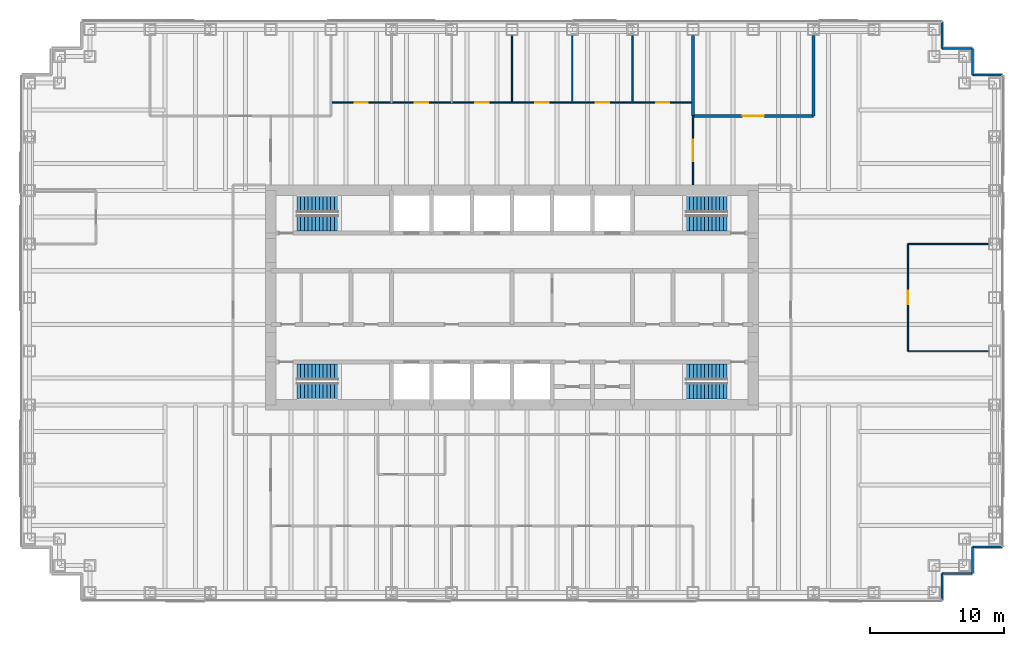
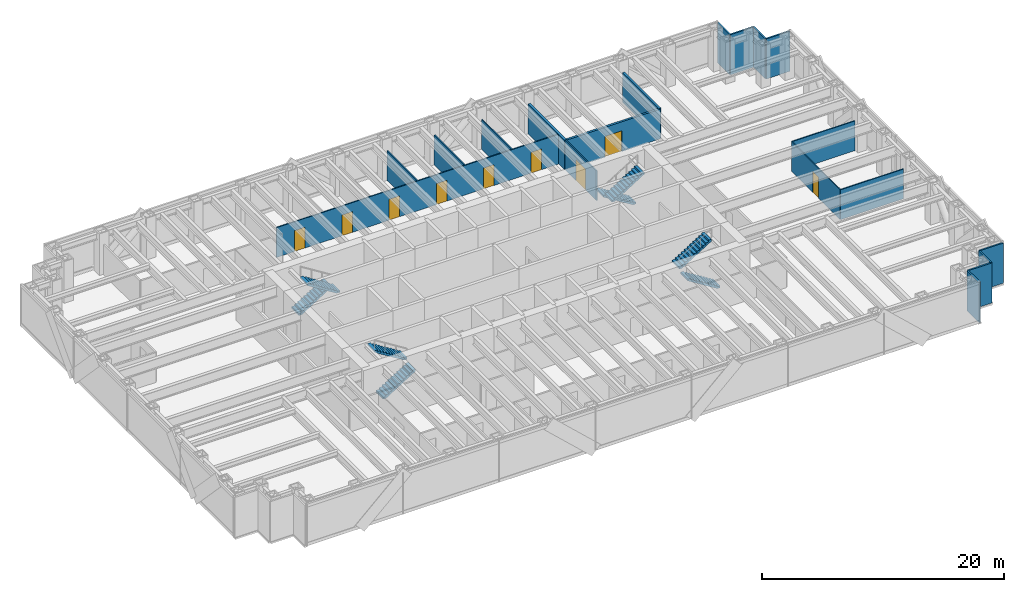
# One storey, part 16 of 17: 19 walls, 9 doors, 8 stair flights, 9 openings, 4 elements without a shape of their own.
"""IFC4 building model written with IfcOpenShell, lengths in metres."""

from ifc_helpers import new_model, si_unit, direction, frame, frame_2d, origin, place, context, subcontext, project, spatial, polyline, rectangle, outline, extrude, material, layer, layer_set, type_object, element, fill, aggregate, save


model = new_model("IFC4")

# Units and contexts
model_context = context("Model", 3, precision=1e-05, world=origin(), true_north=direction((0.0, 1.0)))
body_context = subcontext(model_context, "Body", "Model", "MODEL_VIEW")
ifc_project = project(units=[si_unit("LENGTHUNIT", "METRE"), si_unit("AREAUNIT", "SQUARE_METRE"), si_unit("VOLUMEUNIT", "CUBIC_METRE"), si_unit("PLANEANGLEUNIT", "RADIAN"), si_unit("MASSUNIT", "GRAM", prefix="KILO")], contexts=[model_context])

# Site, building, storey
site_placement = place(None, origin())
site = spatial("IfcSite", under=ifc_project, at=site_placement, CompositionType="ELEMENT")
building_placement = place(site_placement, origin())
building = spatial("IfcBuilding", under=site, at=building_placement, Name="Rheinbord Bourse Tower", CompositionType="ELEMENT")
storey_placement = place(building_placement, frame((0.0, 0.0, 190.0)))
storey = spatial("IfcBuildingStorey", under=building, at=storey_placement, Name="L42", CompositionType="ELEMENT", Elevation=190.0)

# Wall, opening, door
ifc_material_1 = material(Name="Acoustic gypsum board partition", Category="gypsum board")
ifc_layer_1 = layer(ifc_material_1, 0.199951171875)
ifc_layer_set_1 = layer_set([ifc_layer_1], Name="ACOUSTIC PARTITION 200")
wall_type_1 = type_object("IfcWallType", Name="ACOUSTIC PARTITION 200", PredefinedType="PARTITIONING", material=ifc_layer_set_1)
wall_1_placement = place(storey_placement, frame((49.5, 37.550048828125, 0.0), z_axis=(0.0, 0.0, 1.0), x_axis=(1.0, 0.0, 0.0)))
wall_1 = element("IfcWall", 1, at=wall_1_placement, inside=storey, type_object=wall_type_1, Name="Partition L42-13", PredefinedType="PARTITIONING", context=body_context, shape_type="SweptSolid", body=[
    extrude(rectangle(XDim=9.0, YDim=0.199951171875, at=frame_2d((4.5, 0.0))), origin(), (0.0, 0.0, 1.0), 3.0),
])
opening_1_placement = place(wall_1_placement, frame((3.699951171875, 0.0, 0.0)))
opening_1 = element("IfcOpeningElement", 2, at=opening_1_placement, cuts=wall_1, Name="Opening 42D11", PredefinedType="OPENING", context=body_context, shape_type="SweptSolid", body=[
    extrude(rectangle(XDim=1.60009765625, YDim=2.10009765625, at=frame_2d((0.800048828125, 1.050048828125))), frame((0.0, 0.10986328125, 0.0), z_axis=(0.0, -1.0, 0.0), x_axis=(1.0, 0.0, 0.0)), (0.0, 0.0, 1.0), 0.219970703125),
])
ifc_material_2 = material(Name="Timber door", Category="wood")
door_type_1 = type_object("IfcDoorType", Name="DOUBLE ROOM DOOR 1600", OperationType="DOUBLE_DOOR_DOUBLE_SWING", PredefinedType="DOOR", material=ifc_material_2)
door_1_placement = place(opening_1_placement, origin())
door_1 = element("IfcDoor", 3, at=door_1_placement, inside=storey, type_object=door_type_1, Name="Video conference room door L42", OperationType="SINGLE_SWING_LEFT", OverallHeight=2.10009765625, OverallWidth=1.60009765625, PredefinedType="DOOR", context=body_context, shape_type="SweptSolid", body=[
    extrude(rectangle(XDim=1.60009765625, YDim=2.10009765625, at=frame_2d((0.800048828125, 1.050048828125))), frame((0.0, 0.02490234375, 0.0), z_axis=(0.0, -1.0, 0.0), x_axis=(1.0, 0.0, 0.0)), (0.0, 0.0, 1.0), 0.050048828125),
])
fill(opening_1, door_1)

# Walls
for number, where, z_axis, x_axis, name in (
    (4, (49.5, 37.550048828125, 0.0), (0.0, 0.0, 1.0), (0.0, 1.0, 0.0), "Partition L42-37"),
    (5, (58.5, 37.550048828125, 0.0), (0.0, 0.0, 1.0), (0.0, 1.0, 0.0), "Partition L42-40"),
):
    element("IfcWall", number, at=place(storey_placement, frame(where, z_axis=z_axis, x_axis=x_axis)), inside=storey, type_object=wall_type_1, Name=name, PredefinedType="PARTITIONING", context=body_context, shape_type="SweptSolid", body=[
        extrude(rectangle(XDim=6.0, YDim=0.199951171875, at=frame_2d((3.0, 0.0))), origin(), (0.0, 0.0, 1.0), 3.0),
    ])
ifc_material_3 = material(Name="Black metal rainscreen panel", Category="aluminium")
ifc_layer_2 = layer(ifc_material_3, 0.14990234375)
ifc_layer_set_2 = layer_set([ifc_layer_2], Name="CORNER PIER CLADDING 150")
wall_type_2 = type_object("IfcWallType", Name="CORNER PIER CLADDING 150", PredefinedType="ELEMENTEDWALL", material=ifc_layer_set_2)
wall_2_placement = place(storey_placement, frame((68.10009765625, 1.39990234375, 0.0), z_axis=(0.0, 0.0, 1.0), x_axis=(0.0, 1.0, 0.0)))
element("IfcWall", 6, at=wall_2_placement, inside=storey, type_object=wall_type_2, Name="Corner pier cladding L42 2", PredefinedType="ELEMENTEDWALL", context=body_context, shape_type="SweptSolid", body=[
    extrude(rectangle(XDim=2.0, YDim=0.14990234375, at=frame_2d((1.0, 0.0))), origin(), (0.0, 0.0, 1.0), 4.0400390625),
])
wall_3_placement = place(storey_placement, frame((68.10009765625, 3.39990234375, 0.0), z_axis=(0.0, 0.0, 1.0), x_axis=(1.0, 0.0, 0.0)))
element("IfcWall", 7, at=wall_3_placement, inside=storey, type_object=wall_type_2, Name="Corner pier cladding L42 3", PredefinedType="ELEMENTEDWALL", context=body_context, shape_type="SweptSolid", body=[
    extrude(rectangle(XDim=2.25, YDim=0.14990234375, at=frame_2d((1.125, 0.0))), origin(), (0.0, 0.0, 1.0), 4.0400390625),
])
wall_4_placement = place(storey_placement, frame((70.35009765625, 3.39990234375, 0.0), z_axis=(0.0, 0.0, 1.0), x_axis=(0.0, 1.0, 0.0)))
element("IfcWall", 8, at=wall_4_placement, inside=storey, type_object=wall_type_2, Name="Corner pier cladding L42 4", PredefinedType="ELEMENTEDWALL", context=body_context, shape_type="SweptSolid", body=[
    extrude(rectangle(XDim=2.0, YDim=0.14990234375, at=frame_2d((1.0, 0.0))), origin(), (0.0, 0.0, 1.0), 4.0400390625),
])
for number, where, z_axis, x_axis, name in (
    (9, (70.35009765625, 5.39990234375, 0.0), (0.0, 0.0, 1.0), (1.0, 0.0, 0.0), "Corner pier cladding L42 5"),
    (10, (72.60009765625, 40.60009765625, 0.0), (0.0, 0.0, 1.0), (-1.0, 0.0, 0.0), "Corner pier cladding L42 7"),
):
    element("IfcWall", number, at=place(storey_placement, frame(where, z_axis=z_axis, x_axis=x_axis)), inside=storey, type_object=wall_type_2, Name=name, PredefinedType="ELEMENTEDWALL", context=body_context, shape_type="SweptSolid", body=[
        extrude(rectangle(XDim=2.25, YDim=0.14990234375, at=frame_2d((1.125, 0.0))), origin(), (0.0, 0.0, 1.0), 4.0400390625),
    ])
wall_5_placement = place(storey_placement, frame((70.35009765625, 40.60009765625, 0.0), z_axis=(0.0, 0.0, 1.0), x_axis=(0.0, 1.0, 0.0)))
element("IfcWall", 11, at=wall_5_placement, inside=storey, type_object=wall_type_2, Name="Corner pier cladding L42 8", PredefinedType="ELEMENTEDWALL", context=body_context, shape_type="SweptSolid", body=[
    extrude(rectangle(XDim=2.0, YDim=0.14990234375, at=frame_2d((1.0, 0.0))), origin(), (0.0, 0.0, 1.0), 4.0400390625),
])
wall_6_placement = place(storey_placement, frame((70.35009765625, 42.60009765625, 0.0), z_axis=(0.0, 0.0, 1.0), x_axis=(-1.0, 0.0, 0.0)))
element("IfcWall", 12, at=wall_6_placement, inside=storey, type_object=wall_type_2, Name="Corner pier cladding L42 9", PredefinedType="ELEMENTEDWALL", context=body_context, shape_type="SweptSolid", body=[
    extrude(rectangle(XDim=2.25, YDim=0.14990234375, at=frame_2d((1.125, 0.0))), origin(), (0.0, 0.0, 1.0), 4.0400390625),
])
wall_7_placement = place(storey_placement, frame((68.10009765625, 42.60009765625, 0.0), z_axis=(0.0, 0.0, 1.0), x_axis=(0.0, 1.0, 0.0)))
element("IfcWall", 13, at=wall_7_placement, inside=storey, type_object=wall_type_2, Name="Corner pier cladding L42 10", PredefinedType="ELEMENTEDWALL", context=body_context, shape_type="SweptSolid", body=[
    extrude(rectangle(XDim=2.0, YDim=0.14990234375, at=frame_2d((1.0, 0.0))), origin(), (0.0, 0.0, 1.0), 4.0400390625),
])
ifc_material_4 = material(Name="Toughened laminated glass partition", Category="glass")
ifc_layer_3 = layer(ifc_material_4, 0.10009765625)
ifc_layer_set_3 = layer_set([ifc_layer_3], Name="GLAZED PARTITION 100")
wall_type_3 = type_object("IfcWallType", Name="GLAZED PARTITION 100", PredefinedType="PARTITIONING", material=ifc_layer_set_3)
for number, where, z_axis, x_axis, name in (
    (14, (65.550048828125, 20.0, 0.0), (0.0, 0.0, 1.0), (1.0, 0.0, 0.0), "Partition L42-06"),
    (15, (65.550048828125, 28.0, 0.0), (0.0, 0.0, 1.0), (1.0, 0.0, 0.0), "Partition L42-08"),
):
    element("IfcWall", number, at=place(storey_placement, frame(where, z_axis=z_axis, x_axis=x_axis)), inside=storey, type_object=wall_type_3, Name=name, PredefinedType="PARTITIONING", context=body_context, shape_type="SweptSolid", body=[
        extrude(rectangle(XDim=6.0, YDim=0.10009765625, at=frame_2d((3.0, 0.0))), origin(), (0.0, 0.0, 1.0), 3.0),
    ])

# Wall, openings, doors
wall_8_placement = place(storey_placement, frame((22.5, 38.550048828125, 0.0), z_axis=(0.0, 0.0, 1.0), x_axis=(1.0, 0.0, 0.0)))
wall_8 = element("IfcWall", 16, at=wall_8_placement, inside=storey, type_object=wall_type_3, Name="Partition L42-14", PredefinedType="PARTITIONING", context=body_context, shape_type="SweptSolid", body=[
    extrude(rectangle(XDim=27.0, YDim=0.10009765625, at=frame_2d((13.5, 0.0))), origin(), (0.0, 0.0, 1.0), 3.0),
])
opening_2_placement = place(wall_8_placement, frame((1.75, 0.0, 0.0)))
opening_2 = element("IfcOpeningElement", 17, at=opening_2_placement, cuts=wall_8, Name="Opening 42D13", PredefinedType="OPENING", context=body_context, shape_type="SweptSolid", body=[
    extrude(rectangle(XDim=1.0, YDim=2.10009765625, at=frame_2d((0.5, 1.050048828125))), frame((0.0, 0.06005859375, 0.0), z_axis=(0.0, -1.0, 0.0), x_axis=(1.0, 0.0, 0.0)), (0.0, 0.0, 1.0), 0.1201171875),
])
opening_3_placement = place(wall_8_placement, frame((6.25, 0.0, 0.0)))
opening_3 = element("IfcOpeningElement", 18, at=opening_3_placement, cuts=wall_8, Name="Opening 42D14", PredefinedType="OPENING", context=body_context, shape_type="SweptSolid", body=[
    extrude(rectangle(XDim=1.0, YDim=2.10009765625, at=frame_2d((0.5, 1.050048828125))), frame((0.0, 0.06005859375, 0.0), z_axis=(0.0, -1.0, 0.0), x_axis=(1.0, 0.0, 0.0)), (0.0, 0.0, 1.0), 0.1201171875),
])
opening_4_placement = place(wall_8_placement, frame((10.75, 0.0, 0.0)))
opening_4 = element("IfcOpeningElement", 19, at=opening_4_placement, cuts=wall_8, Name="Opening 42D15", PredefinedType="OPENING", context=body_context, shape_type="SweptSolid", body=[
    extrude(rectangle(XDim=1.0, YDim=2.10009765625, at=frame_2d((0.5, 1.050048828125))), frame((0.0, 0.06005859375, 0.0), z_axis=(0.0, -1.0, 0.0), x_axis=(1.0, 0.0, 0.0)), (0.0, 0.0, 1.0), 0.1201171875),
])
opening_5_placement = place(wall_8_placement, frame((15.25, 0.0, 0.0)))
opening_5 = element("IfcOpeningElement", 20, at=opening_5_placement, cuts=wall_8, Name="Opening 42D16", PredefinedType="OPENING", context=body_context, shape_type="SweptSolid", body=[
    extrude(rectangle(XDim=1.0, YDim=2.10009765625, at=frame_2d((0.5, 1.050048828125))), frame((0.0, 0.06005859375, 0.0), z_axis=(0.0, -1.0, 0.0), x_axis=(1.0, 0.0, 0.0)), (0.0, 0.0, 1.0), 0.1201171875),
])
opening_6_placement = place(wall_8_placement, frame((19.75, 0.0, 0.0)))
opening_6 = element("IfcOpeningElement", 21, at=opening_6_placement, cuts=wall_8, Name="Opening 42D17", PredefinedType="OPENING", context=body_context, shape_type="SweptSolid", body=[
    extrude(rectangle(XDim=1.0, YDim=2.10009765625, at=frame_2d((0.5, 1.050048828125))), frame((0.0, 0.06005859375, 0.0), z_axis=(0.0, -1.0, 0.0), x_axis=(1.0, 0.0, 0.0)), (0.0, 0.0, 1.0), 0.1201171875),
])
opening_7_placement = place(wall_8_placement, frame((24.25, 0.0, 0.0)))
opening_7 = element("IfcOpeningElement", 22, at=opening_7_placement, cuts=wall_8, Name="Opening 42D18", PredefinedType="OPENING", context=body_context, shape_type="SweptSolid", body=[
    extrude(rectangle(XDim=1.0, YDim=2.10009765625, at=frame_2d((0.5, 1.050048828125))), frame((0.0, 0.06005859375, 0.0), z_axis=(0.0, -1.0, 0.0), x_axis=(1.0, 0.0, 0.0)), (0.0, 0.0, 1.0), 0.1201171875),
])
ifc_material_5 = material(Name="Timber door", Category="wood")
door_type_2 = type_object("IfcDoorType", Name="ROOM DOOR 1000", OperationType="SINGLE_SWING_LEFT", PredefinedType="DOOR", material=ifc_material_5)
door_2_placement = place(opening_2_placement, origin())
door_2 = element("IfcDoor", 23, at=door_2_placement, inside=storey, type_object=door_type_2, Name="Client meeting room door L42", OperationType="SINGLE_SWING_LEFT", OverallHeight=2.10009765625, OverallWidth=1.0, PredefinedType="DOOR", context=body_context, shape_type="SweptSolid", body=[
    extrude(rectangle(XDim=1.0, YDim=2.10009765625, at=frame_2d((0.5, 1.050048828125))), frame((0.0, 0.02490234375, 0.0), z_axis=(0.0, -1.0, 0.0), x_axis=(1.0, 0.0, 0.0)), (0.0, 0.0, 1.0), 0.050048828125),
])
fill(opening_2, door_2)
door_3_placement = place(opening_3_placement, origin())
door_3 = element("IfcDoor", 24, at=door_3_placement, inside=storey, type_object=door_type_2, Name="Client meeting room door L42", OperationType="SINGLE_SWING_LEFT", OverallHeight=2.10009765625, OverallWidth=1.0, PredefinedType="DOOR", context=body_context, shape_type="SweptSolid", body=[
    extrude(rectangle(XDim=1.0, YDim=2.10009765625, at=frame_2d((0.5, 1.050048828125))), frame((0.0, 0.02490234375, 0.0), z_axis=(0.0, -1.0, 0.0), x_axis=(1.0, 0.0, 0.0)), (0.0, 0.0, 1.0), 0.050048828125),
])
fill(opening_3, door_3)
door_4_placement = place(opening_4_placement, origin())
door_4 = element("IfcDoor", 25, at=door_4_placement, inside=storey, type_object=door_type_2, Name="Client meeting room door L42", OperationType="SINGLE_SWING_LEFT", OverallHeight=2.10009765625, OverallWidth=1.0, PredefinedType="DOOR", context=body_context, shape_type="SweptSolid", body=[
    extrude(rectangle(XDim=1.0, YDim=2.10009765625, at=frame_2d((0.5, 1.050048828125))), frame((0.0, 0.02490234375, 0.0), z_axis=(0.0, -1.0, 0.0), x_axis=(1.0, 0.0, 0.0)), (0.0, 0.0, 1.0), 0.050048828125),
])
fill(opening_4, door_4)
door_5_placement = place(opening_5_placement, origin())
door_5 = element("IfcDoor", 26, at=door_5_placement, inside=storey, type_object=door_type_2, Name="Client meeting room door L42", OperationType="SINGLE_SWING_RIGHT", OverallHeight=2.10009765625, OverallWidth=1.0, PredefinedType="DOOR", context=body_context, shape_type="SweptSolid", body=[
    extrude(rectangle(XDim=1.0, YDim=2.10009765625, at=frame_2d((0.5, 1.050048828125))), frame((0.0, 0.02490234375, 0.0), z_axis=(0.0, -1.0, 0.0), x_axis=(1.0, 0.0, 0.0)), (0.0, 0.0, 1.0), 0.050048828125),
])
fill(opening_5, door_5)
door_6_placement = place(opening_6_placement, origin())
door_6 = element("IfcDoor", 27, at=door_6_placement, inside=storey, type_object=door_type_2, Name="Client meeting room door L42", OperationType="SINGLE_SWING_RIGHT", OverallHeight=2.10009765625, OverallWidth=1.0, PredefinedType="DOOR", context=body_context, shape_type="SweptSolid", body=[
    extrude(rectangle(XDim=1.0, YDim=2.10009765625, at=frame_2d((0.5, 1.050048828125))), frame((0.0, 0.02490234375, 0.0), z_axis=(0.0, -1.0, 0.0), x_axis=(1.0, 0.0, 0.0)), (0.0, 0.0, 1.0), 0.050048828125),
])
fill(opening_6, door_6)
door_7_placement = place(opening_7_placement, origin())
door_7 = element("IfcDoor", 28, at=door_7_placement, inside=storey, type_object=door_type_2, Name="Client meeting room door L42", OperationType="SINGLE_SWING_RIGHT", OverallHeight=2.10009765625, OverallWidth=1.0, PredefinedType="DOOR", context=body_context, shape_type="SweptSolid", body=[
    extrude(rectangle(XDim=1.0, YDim=2.10009765625, at=frame_2d((0.5, 1.050048828125))), frame((0.0, 0.02490234375, 0.0), z_axis=(0.0, -1.0, 0.0), x_axis=(1.0, 0.0, 0.0)), (0.0, 0.0, 1.0), 0.050048828125),
])
fill(opening_7, door_7)

# Walls
for number, where, z_axis, x_axis, name in (
    (29, (36.0, 38.550048828125, 0.0), (0.0, 0.0, 1.0), (0.0, 1.0, 0.0), "Partition L42-30"),
    (30, (40.5, 38.550048828125, 0.0), (0.0, 0.0, 1.0), (0.0, 1.0, 0.0), "Partition L42-32"),
    (31, (45.0, 38.550048828125, 0.0), (0.0, 0.0, 1.0), (0.0, 1.0, 0.0), "Partition L42-34"),
):
    element("IfcWall", number, at=place(storey_placement, frame(where, z_axis=z_axis, x_axis=x_axis)), inside=storey, type_object=wall_type_3, Name=name, PredefinedType="PARTITIONING", context=body_context, shape_type="SweptSolid", body=[
        extrude(rectangle(XDim=5.0, YDim=0.10009765625, at=frame_2d((2.5, 0.0))), origin(), (0.0, 0.0, 1.0), 3.0),
    ])

# Wall, opening, door
wall_9_placement = place(storey_placement, frame((49.5, 32.39990234375, 0.0), z_axis=(0.0, 0.0, 1.0), x_axis=(0.0, 1.0, 0.0)))
wall_9 = element("IfcWall", 32, at=wall_9_placement, inside=storey, type_object=wall_type_3, Name="Partition L42-36", PredefinedType="PARTITIONING", context=body_context, shape_type="SweptSolid", body=[
    extrude(rectangle(XDim=5.150146484375, YDim=0.10009765625, at=frame_2d((2.5751953125, 0.0))), origin(), (0.0, 0.0, 1.0), 3.0),
])
opening_8_placement = place(wall_9_placement, frame((1.77490234375, 0.0, 0.0)))
opening_8 = element("IfcOpeningElement", 33, at=opening_8_placement, cuts=wall_9, Name="Opening 42D22", PredefinedType="OPENING", context=body_context, shape_type="SweptSolid", body=[
    extrude(rectangle(XDim=1.60009765625, YDim=2.10009765625, at=frame_2d((0.800048828125, 1.050048828125))), frame((0.0, 0.06005859375, 0.0), z_axis=(0.0, -1.0, 0.0), x_axis=(1.0, 0.0, 0.0)), (0.0, 0.0, 1.0), 0.1201171875),
])
door_8_placement = place(opening_8_placement, origin())
door_8 = element("IfcDoor", 34, at=door_8_placement, inside=storey, type_object=door_type_1, Name="Open area door L42", OperationType="SINGLE_SWING_LEFT", OverallHeight=2.10009765625, OverallWidth=1.60009765625, PredefinedType="DOOR", context=body_context, shape_type="SweptSolid", body=[
    extrude(rectangle(XDim=1.60009765625, YDim=2.10009765625, at=frame_2d((0.800048828125, 1.050048828125))), frame((0.0, 0.02490234375, 0.0), z_axis=(0.0, -1.0, 0.0), x_axis=(1.0, 0.0, 0.0)), (0.0, 0.0, 1.0), 0.050048828125),
])
fill(opening_8, door_8)

wall_10_placement = place(storey_placement, frame((65.550048828125, 20.0, 0.0), z_axis=(0.0, 0.0, 1.0), x_axis=(0.0, 1.0, 0.0)))
wall_10 = element("IfcWall", 35, at=wall_10_placement, inside=storey, type_object=wall_type_3, Name="Partition L42-41", PredefinedType="PARTITIONING", context=body_context, shape_type="SweptSolid", body=[
    extrude(rectangle(XDim=8.0, YDim=0.10009765625, at=frame_2d((4.0, 0.0))), origin(), (0.0, 0.0, 1.0), 3.0),
])
opening_9_placement = place(wall_10_placement, frame((3.5, 0.0, 0.0)))
opening_9 = element("IfcOpeningElement", 36, at=opening_9_placement, cuts=wall_10, Name="Opening 42D09", PredefinedType="OPENING", context=body_context, shape_type="SweptSolid", body=[
    extrude(rectangle(XDim=1.0, YDim=2.10009765625, at=frame_2d((0.5, 1.050048828125))), frame((0.0, 0.06005859375, 0.0), z_axis=(0.0, -1.0, 0.0), x_axis=(1.0, 0.0, 0.0)), (0.0, 0.0, 1.0), 0.1201171875),
])
door_9_placement = place(opening_9_placement, origin())
door_9 = element("IfcDoor", 37, at=door_9_placement, inside=storey, type_object=door_type_2, Name="Meeting room door L42", OperationType="SINGLE_SWING_LEFT", OverallHeight=2.10009765625, OverallWidth=1.0, PredefinedType="DOOR", context=body_context, shape_type="SweptSolid", body=[
    extrude(rectangle(XDim=1.0, YDim=2.10009765625, at=frame_2d((0.5, 1.050048828125))), frame((0.0, 0.02490234375, 0.0), z_axis=(0.0, -1.0, 0.0), x_axis=(1.0, 0.0, 0.0)), (0.0, 0.0, 1.0), 0.050048828125),
])
fill(opening_9, door_9)

# Stair, stair flights
ifc_material_6 = material(Name="Concrete C30/37", Category="concrete")
stair_type = type_object("IfcStairType", Name="CORE STAIR HALF TURN 4200", PredefinedType="HALF_TURN_STAIR", material=ifc_material_6)
stair_1_placement = place(storey_placement, origin())
stair_1 = element("IfcStair", 38, at=stair_1_placement, inside=storey, type_object=stair_type, Name="Stair ST1 L42, type CS6", PredefinedType="HALF_TURN_STAIR")
ifc_material_7 = material(Name="Concrete C30/37", Category="concrete")
stair_flight_type = type_object("IfcStairFlightType", Name="CORE STAIR FLIGHT 1200, 12 RISERS", PredefinedType="STRAIGHT", material=ifc_material_7)
stair_flight_1_placement = place(storey_placement, frame((19.949951171875, 17.050048828125, 0.0), z_axis=(0.0, 0.0, 1.0), x_axis=(1.0, 0.0, 0.0)))
stair_flight_1 = element("IfcStairFlight", 39, at=stair_flight_1_placement, type_object=stair_flight_type, Name="STAIR L42 ST1 F1", NumberOfRisers=12, NumberOfTreads=11, PredefinedType="STRAIGHT", RiserHeight=0.175, TreadLength=0.28, context=body_context, shape_type="SweptSolid", body=[
    extrude(outline(polyline([(0.0, 0.0), (0.0, 0.175048828125), (0.280029296875, 0.175048828125), (0.280029296875, 0.35009765625), (0.56005859375, 0.35009765625), (0.56005859375, 0.52490234375), (0.840087890625, 0.52490234375), (0.840087890625, 0.699951171875), (1.1201171875, 0.699951171875), (1.1201171875, 0.875), (1.39990234375, 0.875), (1.39990234375, 1.050048828125), (1.679931640625, 1.050048828125), (1.679931640625, 1.22509765625), (1.9599609375, 1.22509765625), (1.9599609375, 1.39990234375), (2.239990234375, 1.39990234375), (2.239990234375, 1.574951171875), (2.52001953125, 1.574951171875), (2.52001953125, 1.75), (2.800048828125, 1.75), (2.800048828125, 1.925048828125), (3.080078125, 1.925048828125), (3.080078125, 2.10009765625), (3.080078125, 1.748291015625), (0.28271484375, 0.0), (0.0, 0.0)])), frame((0.0, 0.60009765625, 0.0), z_axis=(0.0, -1.0, 0.0), x_axis=(1.0, 0.0, 0.0)), (0.0, 0.0, 1.0), 1.199951171875),
])
stair_flight_2_placement = place(storey_placement, frame((23.030029296875, 18.449951171875, 2.10009765625), z_axis=(0.0, 0.0, 1.0), x_axis=(-1.0, 0.0, 0.0)))
stair_flight_2 = element("IfcStairFlight", 40, at=stair_flight_2_placement, type_object=stair_flight_type, Name="STAIR L42 ST1 F2", NumberOfRisers=12, NumberOfTreads=11, PredefinedType="STRAIGHT", RiserHeight=0.175, TreadLength=0.28, context=body_context, shape_type="SweptSolid", body=[
    extrude(outline(polyline([(0.0, 0.0), (0.0, 0.175048828125), (0.280029296875, 0.175048828125), (0.280029296875, 0.35009765625), (0.56005859375, 0.35009765625), (0.56005859375, 0.52490234375), (0.840087890625, 0.52490234375), (0.840087890625, 0.699951171875), (1.1201171875, 0.699951171875), (1.1201171875, 0.875), (1.39990234375, 0.875), (1.39990234375, 1.050048828125), (1.679931640625, 1.050048828125), (1.679931640625, 1.22509765625), (1.9599609375, 1.22509765625), (1.9599609375, 1.39990234375), (2.239990234375, 1.39990234375), (2.239990234375, 1.574951171875), (2.52001953125, 1.574951171875), (2.52001953125, 1.75), (2.800048828125, 1.75), (2.800048828125, 1.925048828125), (3.080078125, 1.925048828125), (3.080078125, 2.10009765625), (3.080078125, 1.748291015625), (0.28271484375, 0.0), (0.0, 0.0)])), frame((0.0, 0.60009765625, 0.0), z_axis=(0.0, -1.0, 0.0), x_axis=(1.0, 0.0, 0.0)), (0.0, 0.0, 1.0), 1.199951171875),
])
aggregate(stair_1, [stair_flight_1, stair_flight_2])

stair_2_placement = place(storey_placement, origin())
stair_2 = element("IfcStair", 41, at=stair_2_placement, inside=storey, type_object=stair_type, Name="Stair ST2 L42, type CS6", PredefinedType="HALF_TURN_STAIR")
stair_flight_3_placement = place(storey_placement, frame((19.949951171875, 30.949951171875, 0.0), z_axis=(0.0, 0.0, 1.0), x_axis=(1.0, 0.0, 0.0)))
stair_flight_3 = element("IfcStairFlight", 42, at=stair_flight_3_placement, type_object=stair_flight_type, Name="STAIR L42 ST2 F1", NumberOfRisers=12, NumberOfTreads=11, PredefinedType="STRAIGHT", RiserHeight=0.175, TreadLength=0.28, context=body_context, shape_type="SweptSolid", body=[
    extrude(outline(polyline([(0.0, 0.0), (0.0, 0.175048828125), (0.280029296875, 0.175048828125), (0.280029296875, 0.35009765625), (0.56005859375, 0.35009765625), (0.56005859375, 0.52490234375), (0.840087890625, 0.52490234375), (0.840087890625, 0.699951171875), (1.1201171875, 0.699951171875), (1.1201171875, 0.875), (1.39990234375, 0.875), (1.39990234375, 1.050048828125), (1.679931640625, 1.050048828125), (1.679931640625, 1.22509765625), (1.9599609375, 1.22509765625), (1.9599609375, 1.39990234375), (2.239990234375, 1.39990234375), (2.239990234375, 1.574951171875), (2.52001953125, 1.574951171875), (2.52001953125, 1.75), (2.800048828125, 1.75), (2.800048828125, 1.925048828125), (3.080078125, 1.925048828125), (3.080078125, 2.10009765625), (3.080078125, 1.748291015625), (0.28271484375, 0.0), (0.0, 0.0)])), frame((0.0, 0.60009765625, 0.0), z_axis=(0.0, -1.0, 0.0), x_axis=(1.0, 0.0, 0.0)), (0.0, 0.0, 1.0), 1.199951171875),
])
stair_flight_4_placement = place(storey_placement, frame((23.030029296875, 29.550048828125, 2.10009765625), z_axis=(0.0, 0.0, 1.0), x_axis=(-1.0, 0.0, 0.0)))
stair_flight_4 = element("IfcStairFlight", 43, at=stair_flight_4_placement, type_object=stair_flight_type, Name="STAIR L42 ST2 F2", NumberOfRisers=12, NumberOfTreads=11, PredefinedType="STRAIGHT", RiserHeight=0.175, TreadLength=0.28, context=body_context, shape_type="SweptSolid", body=[
    extrude(outline(polyline([(0.0, 0.0), (0.0, 0.175048828125), (0.280029296875, 0.175048828125), (0.280029296875, 0.35009765625), (0.56005859375, 0.35009765625), (0.56005859375, 0.52490234375), (0.840087890625, 0.52490234375), (0.840087890625, 0.699951171875), (1.1201171875, 0.699951171875), (1.1201171875, 0.875), (1.39990234375, 0.875), (1.39990234375, 1.050048828125), (1.679931640625, 1.050048828125), (1.679931640625, 1.22509765625), (1.9599609375, 1.22509765625), (1.9599609375, 1.39990234375), (2.239990234375, 1.39990234375), (2.239990234375, 1.574951171875), (2.52001953125, 1.574951171875), (2.52001953125, 1.75), (2.800048828125, 1.75), (2.800048828125, 1.925048828125), (3.080078125, 1.925048828125), (3.080078125, 2.10009765625), (3.080078125, 1.748291015625), (0.28271484375, 0.0), (0.0, 0.0)])), frame((0.0, 0.60009765625, 0.0), z_axis=(0.0, -1.0, 0.0), x_axis=(1.0, 0.0, 0.0)), (0.0, 0.0, 1.0), 1.199951171875),
])
aggregate(stair_2, [stair_flight_3, stair_flight_4])

stair_3_placement = place(storey_placement, origin())
stair_3 = element("IfcStair", 44, at=stair_3_placement, inside=storey, type_object=stair_type, Name="Stair ST3 L42, type CS6", PredefinedType="HALF_TURN_STAIR")
stair_flight_5_placement = place(storey_placement, frame((52.050048828125, 17.050048828125, 0.0), z_axis=(0.0, 0.0, 1.0), x_axis=(-1.0, 0.0, 0.0)))
stair_flight_5 = element("IfcStairFlight", 45, at=stair_flight_5_placement, type_object=stair_flight_type, Name="STAIR L42 ST3 F1", NumberOfRisers=12, NumberOfTreads=11, PredefinedType="STRAIGHT", RiserHeight=0.175, TreadLength=0.28, context=body_context, shape_type="SweptSolid", body=[
    extrude(outline(polyline([(0.0, 0.0), (0.0, 0.175048828125), (0.280029296875, 0.175048828125), (0.280029296875, 0.35009765625), (0.56005859375, 0.35009765625), (0.56005859375, 0.52490234375), (0.840087890625, 0.52490234375), (0.840087890625, 0.699951171875), (1.1201171875, 0.699951171875), (1.1201171875, 0.875), (1.39990234375, 0.875), (1.39990234375, 1.050048828125), (1.679931640625, 1.050048828125), (1.679931640625, 1.22509765625), (1.9599609375, 1.22509765625), (1.9599609375, 1.39990234375), (2.239990234375, 1.39990234375), (2.239990234375, 1.574951171875), (2.52001953125, 1.574951171875), (2.52001953125, 1.75), (2.800048828125, 1.75), (2.800048828125, 1.925048828125), (3.080078125, 1.925048828125), (3.080078125, 2.10009765625), (3.080078125, 1.748291015625), (0.28271484375, 0.0), (0.0, 0.0)])), frame((0.0, 0.60009765625, 0.0), z_axis=(0.0, -1.0, 0.0), x_axis=(1.0, 0.0, 0.0)), (0.0, 0.0, 1.0), 1.199951171875),
])
stair_flight_6_placement = place(storey_placement, frame((48.969970703125, 18.449951171875, 2.10009765625), z_axis=(0.0, 0.0, 1.0), x_axis=(1.0, 0.0, 0.0)))
stair_flight_6 = element("IfcStairFlight", 46, at=stair_flight_6_placement, type_object=stair_flight_type, Name="STAIR L42 ST3 F2", NumberOfRisers=12, NumberOfTreads=11, PredefinedType="STRAIGHT", RiserHeight=0.175, TreadLength=0.28, context=body_context, shape_type="SweptSolid", body=[
    extrude(outline(polyline([(0.0, 0.0), (0.0, 0.175048828125), (0.280029296875, 0.175048828125), (0.280029296875, 0.35009765625), (0.56005859375, 0.35009765625), (0.56005859375, 0.52490234375), (0.840087890625, 0.52490234375), (0.840087890625, 0.699951171875), (1.1201171875, 0.699951171875), (1.1201171875, 0.875), (1.39990234375, 0.875), (1.39990234375, 1.050048828125), (1.679931640625, 1.050048828125), (1.679931640625, 1.22509765625), (1.9599609375, 1.22509765625), (1.9599609375, 1.39990234375), (2.239990234375, 1.39990234375), (2.239990234375, 1.574951171875), (2.52001953125, 1.574951171875), (2.52001953125, 1.75), (2.800048828125, 1.75), (2.800048828125, 1.925048828125), (3.080078125, 1.925048828125), (3.080078125, 2.10009765625), (3.080078125, 1.748291015625), (0.28271484375, 0.0), (0.0, 0.0)])), frame((0.0, 0.60009765625, 0.0), z_axis=(0.0, -1.0, 0.0), x_axis=(1.0, 0.0, 0.0)), (0.0, 0.0, 1.0), 1.199951171875),
])
aggregate(stair_3, [stair_flight_5, stair_flight_6])

stair_4_placement = place(storey_placement, origin())
stair_4 = element("IfcStair", 47, at=stair_4_placement, inside=storey, type_object=stair_type, Name="Stair ST4 L42, type CS6", PredefinedType="HALF_TURN_STAIR")
stair_flight_7_placement = place(storey_placement, frame((52.050048828125, 30.949951171875, 0.0), z_axis=(0.0, 0.0, 1.0), x_axis=(-1.0, 0.0, 0.0)))
stair_flight_7 = element("IfcStairFlight", 48, at=stair_flight_7_placement, type_object=stair_flight_type, Name="STAIR L42 ST4 F1", NumberOfRisers=12, NumberOfTreads=11, PredefinedType="STRAIGHT", RiserHeight=0.175, TreadLength=0.28, context=body_context, shape_type="SweptSolid", body=[
    extrude(outline(polyline([(0.0, 0.0), (0.0, 0.175048828125), (0.280029296875, 0.175048828125), (0.280029296875, 0.35009765625), (0.56005859375, 0.35009765625), (0.56005859375, 0.52490234375), (0.840087890625, 0.52490234375), (0.840087890625, 0.699951171875), (1.1201171875, 0.699951171875), (1.1201171875, 0.875), (1.39990234375, 0.875), (1.39990234375, 1.050048828125), (1.679931640625, 1.050048828125), (1.679931640625, 1.22509765625), (1.9599609375, 1.22509765625), (1.9599609375, 1.39990234375), (2.239990234375, 1.39990234375), (2.239990234375, 1.574951171875), (2.52001953125, 1.574951171875), (2.52001953125, 1.75), (2.800048828125, 1.75), (2.800048828125, 1.925048828125), (3.080078125, 1.925048828125), (3.080078125, 2.10009765625), (3.080078125, 1.748291015625), (0.28271484375, 0.0), (0.0, 0.0)])), frame((0.0, 0.60009765625, 0.0), z_axis=(0.0, -1.0, 0.0), x_axis=(1.0, 0.0, 0.0)), (0.0, 0.0, 1.0), 1.199951171875),
])
stair_flight_8_placement = place(storey_placement, frame((48.969970703125, 29.550048828125, 2.10009765625), z_axis=(0.0, 0.0, 1.0), x_axis=(1.0, 0.0, 0.0)))
stair_flight_8 = element("IfcStairFlight", 49, at=stair_flight_8_placement, type_object=stair_flight_type, Name="STAIR L42 ST4 F2", NumberOfRisers=12, NumberOfTreads=11, PredefinedType="STRAIGHT", RiserHeight=0.175, TreadLength=0.28, context=body_context, shape_type="SweptSolid", body=[
    extrude(outline(polyline([(0.0, 0.0), (0.0, 0.175048828125), (0.280029296875, 0.175048828125), (0.280029296875, 0.35009765625), (0.56005859375, 0.35009765625), (0.56005859375, 0.52490234375), (0.840087890625, 0.52490234375), (0.840087890625, 0.699951171875), (1.1201171875, 0.699951171875), (1.1201171875, 0.875), (1.39990234375, 0.875), (1.39990234375, 1.050048828125), (1.679931640625, 1.050048828125), (1.679931640625, 1.22509765625), (1.9599609375, 1.22509765625), (1.9599609375, 1.39990234375), (2.239990234375, 1.39990234375), (2.239990234375, 1.574951171875), (2.52001953125, 1.574951171875), (2.52001953125, 1.75), (2.800048828125, 1.75), (2.800048828125, 1.925048828125), (3.080078125, 1.925048828125), (3.080078125, 2.10009765625), (3.080078125, 1.748291015625), (0.28271484375, 0.0), (0.0, 0.0)])), frame((0.0, 0.60009765625, 0.0), z_axis=(0.0, -1.0, 0.0), x_axis=(1.0, 0.0, 0.0)), (0.0, 0.0, 1.0), 1.199951171875),
])
aggregate(stair_4, [stair_flight_7, stair_flight_8])

save(model, "model.ifc")
